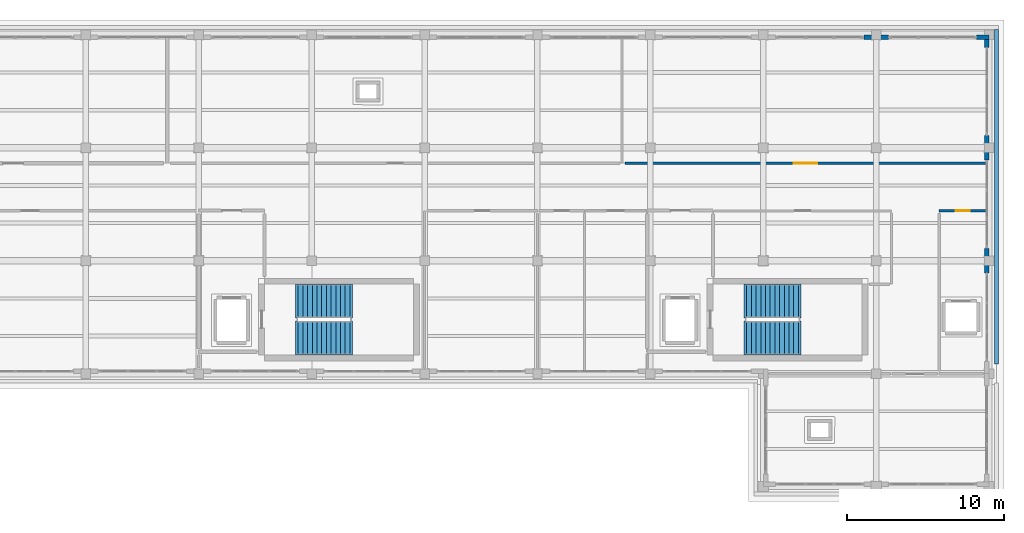
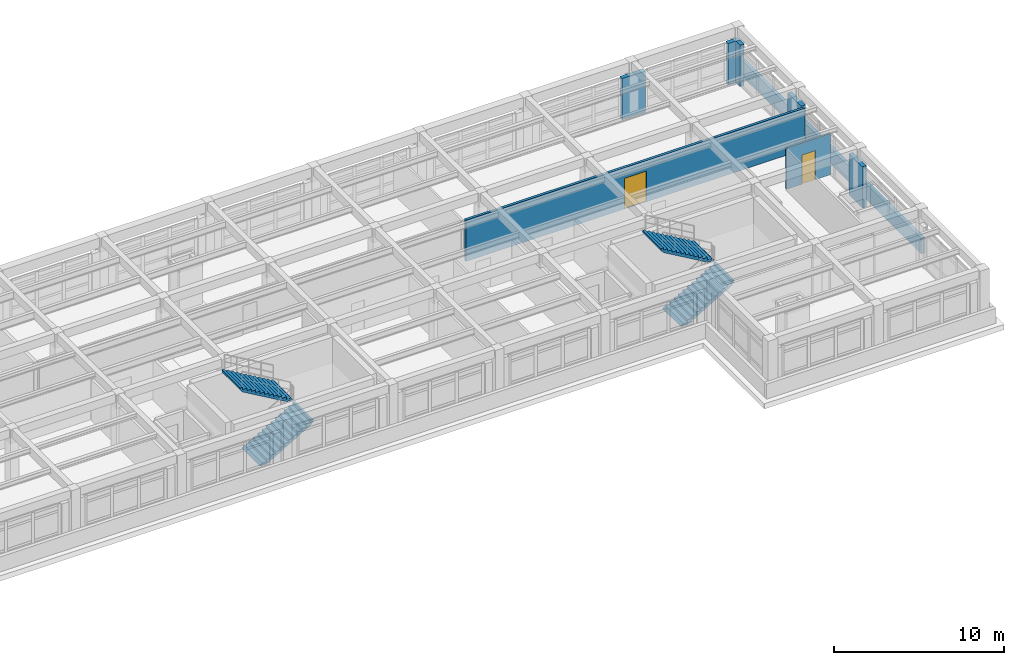
# One storey, part 16 of 19: 8 walls, 4 stair flights, 2 doors, 2 openings, 2 elements without a shape of their own.
"""IFC4 building model written with IfcOpenShell, lengths in metres."""

import ifcopenshell
import ifcopenshell.guid

model = None  # the IFC model being written
_history = None  # IfcOwnerHistory: only IFC2X3 demands one
_inside = {}  # id of a spatial element -> (the spatial element, [elements in it])
_under = {}  # id of a project, library or spatial element -> (it, [spatial elements below it])
_declared = {}  # id of a project -> (the project, [libraries it declares])
_typed = {}  # id of a type object -> (the type object, [elements of that type])
_made_of = {}  # id of a material, layer set ... -> (it, [elements and type objects made of it])


def new_model(schema):
    """Start an empty IFC model of exactly this schema.

    Asked for "IFC4X3", IfcOpenShell would pick the latest addendum, in which some entities
    have other attributes; the version numbers below select the first issue.
    IFC2X3 requires an IfcOwnerHistory on every rooted entity: one is made here for all.
    """
    global model, _history
    if schema == "IFC4X3":
        model = ifcopenshell.file(schema_version=(4, 3, 0, 0))
    else:
        model = ifcopenshell.file(schema=schema)
    _inside.clear()
    _under.clear()
    _declared.clear()
    _typed.clear()
    _made_of.clear()
    _history = None
    if model.schema == "IFC2X3":
        org = make("IfcOrganization", Name="unknown")
        user = make(
            "IfcPersonAndOrganization",
            ThePerson=make("IfcPerson", FamilyName="unknown"),
            TheOrganization=org,
        )
        app = make(
            "IfcApplication",
            ApplicationDeveloper=org,
            Version="unknown",
            ApplicationFullName="unknown",
            ApplicationIdentifier="unknown",
        )
        _history = make(
            "IfcOwnerHistory",
            OwningUser=user,
            OwningApplication=app,
            ChangeAction="ADDED",
            CreationDate=0,
        )
    return model


def make(cls, **values):
    """One entity of the class cls with the attributes given. An attribute that is None is left unset."""
    return model.create_entity(
        cls, **{name: value for name, value in values.items() if value is not None}
    )


def rooted(cls, **values):
    """An entity with a GlobalId (a new one), such as an element, a storey or a relation."""
    return make(cls, GlobalId=ifcopenshell.guid.new(), OwnerHistory=_history, **values)


def si_unit(unit_type, name, prefix=None):
    """IfcSIUnit, for example si_unit("LENGTHUNIT", "METRE", prefix="MILLI")."""
    return make("IfcSIUnit", UnitType=unit_type, Prefix=prefix, Name=name)


def assignment(units):
    """IfcUnitAssignment: the units of a project."""
    return None if units is None else make("IfcUnitAssignment", Units=units)


def point(xyz):
    """IfcCartesianPoint."""
    return None if xyz is None else make("IfcCartesianPoint", Coordinates=xyz)


def direction(xyz):
    """IfcDirection."""
    return None if xyz is None else make("IfcDirection", DirectionRatios=xyz)


def frame(location, z_axis=None, x_axis=None):
    """IfcAxis2Placement3D, a coordinate frame: its origin and axes. An axis left out is left unset."""
    return make(
        "IfcAxis2Placement3D",
        Location=point(location),
        Axis=direction(z_axis),
        RefDirection=direction(x_axis),
    )


def frame_2d(location, x_axis=None):
    """IfcAxis2Placement2D, a coordinate frame in the plane: its origin and x axis."""
    return make(
        "IfcAxis2Placement2D", Location=point(location), RefDirection=direction(x_axis)
    )


def origin():
    """The frame at (0, 0, 0) with its axes left unset."""
    return frame((0.0, 0.0, 0.0))


def place(relative_to, where):
    """IfcLocalPlacement: puts the frame where relative to a parent placement (None: the world)."""
    return make(
        "IfcLocalPlacement", PlacementRelTo=relative_to, RelativePlacement=where
    )


def context(
    kind, dimensions, precision=None, world=None, true_north=None, identifier=None
):
    """IfcGeometricRepresentationContext, for example the 3D "Model" context."""
    return make(
        "IfcGeometricRepresentationContext",
        ContextIdentifier=identifier,
        ContextType=kind,
        CoordinateSpaceDimension=dimensions,
        Precision=precision,
        WorldCoordinateSystem=world,
        TrueNorth=true_north,
    )


def subcontext(parent, identifier, kind, view, scale=None):
    """IfcGeometricRepresentationSubContext, for example "Body" below "Model"."""
    return make(
        "IfcGeometricRepresentationSubContext",
        ContextIdentifier=identifier,
        ContextType=kind,
        ParentContext=parent,
        TargetScale=scale,
        TargetView=view,
    )


def project(units=None, contexts=None):
    """IfcProject with its units and contexts."""
    return rooted(
        "IfcProject",
        Name="project",
        RepresentationContexts=contexts,
        UnitsInContext=assignment(units),
    )


def spatial(cls, under=None, at=None, **own):
    """A site, building, storey or space (cls), placed at a placement, below another one or the project."""
    s = rooted(cls, ObjectPlacement=at, **own)
    if under is not None:
        _under.setdefault(under.id(), (under, []))[1].append(s)
    return s


def polyline(points):
    """IfcPolyline through the points."""
    return make("IfcPolyline", Points=[point(p) for p in points])


def profile(cls, at=None, kind="AREA", **sizes):
    """A parametric profile (cls). Its sizes go by their IFC names, for example OverallWidth=200.0."""
    return make(cls, ProfileType=kind, Position=at, **sizes)


def rectangle(**sizes):
    """IfcRectangleProfileDef."""
    return profile("IfcRectangleProfileDef", **sizes)


def outline(outer, holes=None, kind="AREA"):
    """IfcArbitraryClosedProfileDef: a profile drawn as a closed curve; with holes, ...WithVoids."""
    if holes is None:
        return make("IfcArbitraryClosedProfileDef", ProfileType=kind, OuterCurve=outer)
    return make(
        "IfcArbitraryProfileDefWithVoids",
        ProfileType=kind,
        OuterCurve=outer,
        InnerCurves=holes,
    )


def extrude(swept, where, along, depth):
    """IfcExtrudedAreaSolid: the profile swept, set in the frame where, extruded along a direction by depth."""
    return make(
        "IfcExtrudedAreaSolid",
        SweptArea=swept,
        Position=where,
        ExtrudedDirection=direction(along),
        Depth=depth,
    )


def shape(context_of_items, identifier, shape_type, items):
    """IfcShapeRepresentation: the items that make up one representation, for example the "Body"."""
    return make(
        "IfcShapeRepresentation",
        ContextOfItems=context_of_items,
        RepresentationIdentifier=identifier,
        RepresentationType=shape_type,
        Items=items,
    )


def material(Name=None, Category=None):
    """IfcMaterial."""
    return make("IfcMaterial", Name=Name, Category=Category)


def layer(
    of_material, thickness, ventilated=None, Name=None, Category=None, Priority=None
):
    """IfcMaterialLayer: one layer of a wall or slab, of a material (None: an air gap)."""
    return make(
        "IfcMaterialLayer",
        Material=of_material,
        LayerThickness=thickness,
        IsVentilated=ventilated,
        Name=Name,
        Category=Category,
        Priority=Priority,
    )


def layer_set(layers, Name=None):
    """IfcMaterialLayerSet."""
    return make("IfcMaterialLayerSet", MaterialLayers=layers, LayerSetName=Name)


def made_of(thing, what):
    """Note that an element or type object is made of a material, layer set ...; save() writes the relation."""
    if what is not None:
        _made_of.setdefault(what.id(), (what, []))[1].append(thing)
    return thing


def type_object(cls, material=None, **own):
    """A type object (cls), such as IfcWallType, which elements share."""
    return made_of(rooted(cls, **own), material)


def element(
    cls,
    number,
    at=None,
    inside=None,
    cuts=None,
    type_object=None,
    material=None,
    context=None,
    identifier="Body",
    shape_type=None,
    held_by="IfcProductDefinitionShape",
    body=None,
    shapes=None,
    **own,
):
    """One element of the class cls, such as IfcWall. Its Tag is "e" and its number.

    at: its placement. inside: the storey or other place that contains it. cuts: it is an
    opening in that element (IfcRelVoidsElement). A single representation is given by context,
    identifier, shape_type and body (its items); several are given by shapes. held_by: the class
    of the entity that holds the representations. save() writes the other relations.
    """
    e = rooted(cls, Tag="e%d" % number, ObjectPlacement=at, **own)
    if body is not None:
        shapes = [shape(context, identifier, shape_type, body)]
    if shapes is not None:
        e.Representation = make(held_by, Representations=shapes)
    if inside is not None:
        _inside.setdefault(inside.id(), (inside, []))[1].append(e)
    if cuts is not None:
        rooted(
            "IfcRelVoidsElement", RelatingBuildingElement=cuts, RelatedOpeningElement=e
        )
    if type_object is not None:
        _typed.setdefault(type_object.id(), (type_object, []))[1].append(e)
    return made_of(e, material)


def fill(opening, filler):
    """IfcRelFillsElement: the door or window that sits in an opening."""
    return rooted(
        "IfcRelFillsElement",
        RelatingOpeningElement=opening,
        RelatedBuildingElement=filler,
    )


def aggregate(whole, parts):
    """IfcRelAggregates: a whole, such as a stair, and the parts it consists of."""
    return rooted("IfcRelAggregates", RelatingObject=whole, RelatedObjects=parts)


def save(model, path):
    """Write the relations noted so far, then the file.

    IfcRelAggregates (storeys below a building ...), IfcRelContainedInSpatialStructure (elements
    in a storey), IfcRelDefinesByType, IfcRelAssociatesMaterial and IfcRelDeclares: one each for
    every whole, place, type object, material and project.
    """
    for whole, parts in _under.values():
        aggregate(whole, parts)
    for where, things in _inside.values():
        rooted(
            "IfcRelContainedInSpatialStructure",
            RelatedElements=things,
            RelatingStructure=where,
        )
    for kind, things in _typed.values():
        rooted("IfcRelDefinesByType", RelatedObjects=things, RelatingType=kind)
    for what, things in _made_of.values():
        rooted("IfcRelAssociatesMaterial", RelatedObjects=things, RelatingMaterial=what)
    for by, libraries in _declared.values():
        rooted("IfcRelDeclares", RelatingContext=by, RelatedDefinitions=libraries)
    model.write(path)


model = new_model("IFC4")

# Units and contexts
model_context = context("Model", 3, precision=1e-05, world=origin(), true_north=direction((0.0, 1.0)))
body_context = subcontext(model_context, "Body", "Model", "MODEL_VIEW")
ifc_project = project(units=[si_unit("LENGTHUNIT", "METRE"), si_unit("AREAUNIT", "SQUARE_METRE"), si_unit("VOLUMEUNIT", "CUBIC_METRE"), si_unit("PLANEANGLEUNIT", "RADIAN"), si_unit("MASSUNIT", "GRAM", prefix="KILO")], contexts=[model_context])

# Site, building, storey
site_placement = place(None, origin())
site = spatial("IfcSite", under=ifc_project, at=site_placement, CompositionType="ELEMENT")
building_placement = place(site_placement, origin())
building = spatial("IfcBuilding", under=site, at=building_placement, Name="Solenvale Faculty of Natural Sciences", CompositionType="ELEMENT")
storey_placement = place(building_placement, frame((0.0, 0.0, 27.0)))
storey = spatial("IfcBuildingStorey", under=building, at=storey_placement, Name="L06", CompositionType="ELEMENT", Elevation=27.0)

# Walls
ifc_material_1 = material(Name="Precast concrete 40 MPa", Category="concrete")
ifc_layer_1 = layer(ifc_material_1, 0.284912109375)
ifc_layer_set_1 = layer_set([ifc_layer_1], Name="Precast concrete 40 MPa")
wall_type_1 = type_object("IfcWallType", Name="WL-EXT-PRC-285", PredefinedType="STANDARD", material=ifc_layer_set_1)
wall_1_placement = place(storey_placement, frame((151.0576171875, 100.011962890625, 0.0), z_axis=(0.0, 0.0, 1.0), x_axis=(0.0, 1.0, 0.0)))
element("IfcWall", 1, at=wall_1_placement, inside=storey, type_object=wall_type_1, Name="L06 Facade Closure Pier 1.B1-R", PredefinedType="STANDARD", context=body_context, shape_type="SweptSolid", body=[
    extrude(rectangle(XDim=1.575927734375, YDim=0.284912109375, at=frame_2d((0.7880859375, 0.0))), origin(), (0.0, 0.0, 1.0), 2.9599609375),
])
wall_2_placement = place(storey_placement, frame((151.0576171875, 107.2119140625, 0.0), z_axis=(0.0, 0.0, 1.0), x_axis=(0.0, 1.0, 0.0)))
element("IfcWall", 2, at=wall_2_placement, inside=storey, type_object=wall_type_1, Name="L06 Facade Closure Pier 1.B2-R", PredefinedType="STANDARD", context=body_context, shape_type="SweptSolid", body=[
    extrude(rectangle(XDim=1.576171875, YDim=0.284912109375, at=frame_2d((0.7880859375, 0.0))), origin(), (0.0, 0.0, 1.0), 2.9599609375),
])
wall_3_placement = place(storey_placement, frame((151.0576171875, 114.412109375, 0.0), z_axis=(0.0, 0.0, 1.0), x_axis=(0.0, 1.0, 0.0)))
element("IfcWall", 3, at=wall_3_placement, inside=storey, type_object=wall_type_1, Name="L06 Facade Closure Pier 1.B3-R", PredefinedType="STANDARD", context=body_context, shape_type="SweptSolid", body=[
    extrude(rectangle(XDim=0.5029296875, YDim=0.284912109375, at=frame_2d((0.25146484375, 0.0))), origin(), (0.0, 0.0, 1.0), 2.9599609375),
])
wall_4_placement = place(storey_placement, frame((151.199951171875, 115.0576171875, 0.0), z_axis=(0.0, 0.0, 1.0), x_axis=(-1.0, 0.0, 0.0)))
element("IfcWall", 4, at=wall_4_placement, inside=storey, type_object=wall_type_1, Name="L06 Facade Closure Pier 2.B1-L", PredefinedType="STANDARD", context=body_context, shape_type="SweptSolid", body=[
    extrude(rectangle(XDim=0.787841796875, YDim=0.284912109375, at=frame_2d((0.39404296875, 0.0))), origin(), (0.0, 0.0, 1.0), 2.9599609375),
])
wall_5_placement = place(storey_placement, frame((144.7880859375, 115.0576171875, 0.0), z_axis=(0.0, 0.0, 1.0), x_axis=(-1.0, 0.0, 0.0)))
element("IfcWall", 5, at=wall_5_placement, inside=storey, type_object=wall_type_1, Name="L06 Facade Closure Pier 2.B1-R", PredefinedType="STANDARD", context=body_context, shape_type="SweptSolid", body=[
    extrude(rectangle(XDim=1.576171875, YDim=0.284912109375, at=frame_2d((0.7880859375, 0.0))), origin(), (0.0, 0.0, 1.0), 2.9599609375),
])

# Wall, opening, door
ifc_material_2 = material(Name="Gypsum fire-rated laboratory partition")
ifc_layer_2 = layer(ifc_material_2, 0.175048828125)
ifc_layer_set_2 = layer_set([ifc_layer_2], Name="Gypsum fire-rated laboratory partition")
wall_type_2 = type_object("IfcWallType", Name="WL-LAB-175", PredefinedType="PARTITIONING", material=ifc_layer_set_2)
wall_6_placement = place(storey_placement, frame((151.01806640625, 107.02001953125, 0.0), z_axis=(0.0, 0.0, 1.0), x_axis=(-1.0, 0.0, 0.0)))
wall_6 = element("IfcWall", 6, at=wall_6_placement, inside=storey, type_object=wall_type_2, Name="L06 Preparative Organic Chemistry Laboratory Partition 4", PredefinedType="PARTITIONING", context=body_context, shape_type="SweptSolid", body=[
    extrude(rectangle(XDim=23.049072265625, YDim=0.175048828125, at=frame_2d((11.5244140625, 0.0))), origin(), (0.0, 0.0, 1.0), 2.9599609375),
])
opening_1_placement = place(wall_6_placement, frame((10.784912109375, 0.0, 0.0)))
opening_1 = element("IfcOpeningElement", 7, at=opening_1_placement, cuts=wall_6, Name="Opening D-L06-05", PredefinedType="OPENING", context=body_context, shape_type="SweptSolid", body=[
    extrude(rectangle(XDim=1.47998046875, YDim=2.199951171875, at=frame_2d((0.739990234375, 1.10009765625))), frame((0.0, 0.097412109375, 0.0), z_axis=(0.0, -1.0, 0.0), x_axis=(1.0, 0.0, 0.0)), (0.0, 0.0, 1.0), 0.195068359375),
])
ifc_material_3 = material(Name="Oak acoustic timber leaf", Category="wood")
door_type_1 = type_object("IfcDoorType", Name="DR-LAB-1480x2200", OperationType="NOTDEFINED", PredefinedType="DOOR", material=ifc_material_3)
door_1_placement = place(opening_1_placement, origin())
door_1 = element("IfcDoor", 8, at=door_1_placement, inside=storey, type_object=door_type_1, Name="L06 Preparative Organic Chemistry Laboratory Door", OperationType="SINGLE_SWING_RIGHT", OverallHeight=2.199951171875, OverallWidth=1.47998046875, PredefinedType="DOOR", context=body_context, shape_type="SweptSolid", body=[
    extrude(rectangle(XDim=1.47998046875, YDim=2.199951171875, at=frame_2d((0.739990234375, 1.10009765625))), frame((0.0, 0.02490234375, 0.0), z_axis=(0.0, -1.0, 0.0), x_axis=(1.0, 0.0, 0.0)), (0.0, 0.0, 1.0), 0.050048828125),
])
fill(opening_1, door_1)

ifc_material_4 = material(Name="Acoustic stud gypsum partition")
ifc_layer_3 = layer(ifc_material_4, 0.14794921875)
ifc_layer_set_3 = layer_set([ifc_layer_3], Name="Acoustic stud gypsum partition")
wall_type_3 = type_object("IfcWallType", Name="WL-OFF-148", PredefinedType="PARTITIONING", material=ifc_layer_set_3)
wall_7_placement = place(storey_placement, frame((148.02001953125, 103.97998046875, 0.0), z_axis=(0.0, 0.0, 1.0), x_axis=(1.0, 0.0, 0.0)))
wall_7 = element("IfcWall", 9, at=wall_7_placement, inside=storey, type_object=wall_type_3, Name="L06 Elevator Lobby Partition 1", PredefinedType="PARTITIONING", context=body_context, shape_type="SweptSolid", body=[
    extrude(rectangle(XDim=2.998046875, YDim=0.14794921875, at=frame_2d((1.4990234375, 0.0))), origin(), (0.0, 0.0, 1.0), 2.9599609375),
])
opening_2_placement = place(wall_7_placement, frame((1.0390625, 0.0, 0.0)))
opening_2 = element("IfcOpeningElement", 10, at=opening_2_placement, cuts=wall_7, Name="Opening D-L06-11", PredefinedType="OPENING", context=body_context, shape_type="SweptSolid", body=[
    extrude(rectangle(XDim=0.919921875, YDim=2.10009765625, at=frame_2d((0.4599609375, 1.050048828125))), frame((0.0, 0.083984375, 0.0), z_axis=(0.0, -1.0, 0.0), x_axis=(1.0, 0.0, 0.0)), (0.0, 0.0, 1.0), 0.16796875),
])
door_type_2 = type_object("IfcDoorType", Name="DR-OFF-0920x2100", OperationType="NOTDEFINED", PredefinedType="DOOR", material=ifc_material_3)
door_2_placement = place(opening_2_placement, origin())
door_2 = element("IfcDoor", 11, at=door_2_placement, inside=storey, type_object=door_type_2, Name="L06 Elevator Lobby Door", OperationType="SINGLE_SWING_RIGHT", OverallHeight=2.10009765625, OverallWidth=0.919921875, PredefinedType="DOOR", context=body_context, shape_type="SweptSolid", body=[
    extrude(rectangle(XDim=0.919921875, YDim=2.10009765625, at=frame_2d((0.4599609375, 1.050048828125))), frame((0.0, 0.02490234375, 0.0), z_axis=(0.0, -1.0, 0.0), x_axis=(1.0, 0.0, 0.0)), (0.0, 0.0, 1.0), 0.050048828125),
])
fill(opening_2, door_2)

# Wall
ifc_material_5 = material(Name="Architectural bronze concrete 40 MPa", Category="concrete")
ifc_layer_4 = layer(ifc_material_5, 0.239990234375)
ifc_layer_set_4 = layer_set([ifc_layer_4], Name="Architectural bronze concrete 40 MPa")
wall_type_4 = type_object("IfcWallType", Name="WL-PAR-BRZ-240", PredefinedType="PARAPET", material=ifc_layer_set_4)
wall_8_placement = place(storey_placement, frame((151.679931640625, 115.56005859375, 0.0), z_axis=(0.0, 0.0, 1.0), x_axis=(0.0, -1.0, 0.0)))
element("IfcWall", 12, at=wall_8_placement, inside=storey, type_object=wall_type_4, Name="L06 Tower Horizontal Concrete Band 4", PredefinedType="PARAPET", context=body_context, shape_type="SweptSolid", body=[
    extrude(rectangle(XDim=21.360107421875, YDim=0.239990234375, at=frame_2d((10.68017578125, 0.0))), origin(), (0.0, 0.0, 1.0), 1.1201171875),
])

# Stair, stair flights
ifc_material_6 = material(Name="Concrete 40 MPa", Category="concrete")
stair_type = type_object("IfcStairType", Name="STR-CORE-25R", PredefinedType="DOUBLE_RETURN_STAIR", material=ifc_material_6)
stair_1_placement = place(storey_placement, origin())
stair_1 = element("IfcStair", 13, at=stair_1_placement, inside=storey, type_object=stair_type, Name="L06 Protected Exit Stair ST-04", PredefinedType="DOUBLE_RETURN_STAIR")
stair_flight_type = type_object("IfcStairFlightType", Name="SFL-RC-25R", PredefinedType="STRAIGHT", material=ifc_material_6)
stair_flight_1_placement = place(storey_placement, frame((107.139892578125, 95.875, 0.0), z_axis=(0.0, 0.0, 1.0), x_axis=(1.0, 0.0, 0.0)))
stair_flight_1 = element("IfcStairFlight", 14, at=stair_flight_1_placement, type_object=stair_flight_type, Name="ST-04 flight 1", NumberOfRisers=12, NumberOfTreads=11, PredefinedType="STRAIGHT", RiserHeight=0.175, TreadLength=0.3, context=body_context, shape_type="SweptSolid", body=[
    extrude(outline(polyline([(-0.159912109375, 0.0), (0.0, 0.175048828125), (0.300048828125, 0.175048828125), (0.300048828125, 0.35009765625), (0.60009765625, 0.35009765625), (0.60009765625, 0.52490234375), (0.89990234375, 0.52490234375), (0.89990234375, 0.699951171875), (1.199951171875, 0.699951171875), (1.199951171875, 0.875), (1.5, 0.875), (1.5, 1.050048828125), (1.800048828125, 1.050048828125), (1.800048828125, 1.22509765625), (2.10009765625, 1.22509765625), (2.10009765625, 1.39990234375), (2.39990234375, 1.39990234375), (2.39990234375, 1.574951171875), (2.699951171875, 1.574951171875), (2.699951171875, 1.75), (3.0, 1.75), (3.0, 1.925048828125), (3.300048828125, 1.925048828125), (3.300048828125, 2.10009765625), (3.4599609375, 2.10009765625), (3.4599609375, 1.9501953125), (3.300048828125, 1.75146484375), (0.297607421875, 0.0), (-0.159912109375, 0.0)])), frame((0.0, 1.074951171875, 0.0), z_axis=(0.0, -1.0, 0.0), x_axis=(1.0, 0.0, 0.0)), (0.0, 0.0, 1.0), 2.14990234375),
])
stair_flight_2_placement = place(storey_placement, frame((110.43994140625, 98.22509765625, 2.10009765625), z_axis=(0.0, 0.0, 1.0), x_axis=(-1.0, 0.0, 0.0)))
stair_flight_2 = element("IfcStairFlight", 15, at=stair_flight_2_placement, type_object=stair_flight_type, Name="ST-04 flight 2", NumberOfRisers=12, NumberOfTreads=11, PredefinedType="STRAIGHT", RiserHeight=0.175, TreadLength=0.3, context=body_context, shape_type="SweptSolid", body=[
    extrude(outline(polyline([(-0.159912109375, 0.0), (0.0, 0.175048828125), (0.300048828125, 0.175048828125), (0.300048828125, 0.35009765625), (0.60009765625, 0.35009765625), (0.60009765625, 0.52490234375), (0.89990234375, 0.52490234375), (0.89990234375, 0.699951171875), (1.199951171875, 0.699951171875), (1.199951171875, 0.875), (1.5, 0.875), (1.5, 1.050048828125), (1.800048828125, 1.050048828125), (1.800048828125, 1.22509765625), (2.10009765625, 1.22509765625), (2.10009765625, 1.39990234375), (2.39990234375, 1.39990234375), (2.39990234375, 1.574951171875), (2.699951171875, 1.574951171875), (2.699951171875, 1.75), (3.0, 1.75), (3.0, 1.925048828125), (3.300048828125, 1.925048828125), (3.300048828125, 2.10009765625), (3.4599609375, 2.10009765625), (3.4599609375, 1.9501953125), (3.300048828125, 1.75146484375), (0.297607421875, 0.0), (-0.159912109375, 0.0)])), frame((0.0, 1.074951171875, 0.0), z_axis=(0.0, -1.0, 0.0), x_axis=(1.0, 0.0, 0.0)), (0.0, 0.0, 1.0), 2.14990234375),
])
aggregate(stair_1, [stair_flight_1, stair_flight_2])

stair_2_placement = place(storey_placement, origin())
stair_2 = element("IfcStair", 16, at=stair_2_placement, inside=storey, type_object=stair_type, Name="L06 Protected Exit Stair ST-05", PredefinedType="DOUBLE_RETURN_STAIR")
stair_flight_3_placement = place(storey_placement, frame((135.739990234375, 95.875, 0.0), z_axis=(0.0, 0.0, 1.0), x_axis=(1.0, 0.0, 0.0)))
stair_flight_3 = element("IfcStairFlight", 17, at=stair_flight_3_placement, type_object=stair_flight_type, Name="ST-05 flight 1", NumberOfRisers=12, NumberOfTreads=11, PredefinedType="STRAIGHT", RiserHeight=0.175, TreadLength=0.3, context=body_context, shape_type="SweptSolid", body=[
    extrude(outline(polyline([(-0.159912109375, 0.0), (0.0, 0.175048828125), (0.300048828125, 0.175048828125), (0.300048828125, 0.35009765625), (0.60009765625, 0.35009765625), (0.60009765625, 0.52490234375), (0.89990234375, 0.52490234375), (0.89990234375, 0.699951171875), (1.199951171875, 0.699951171875), (1.199951171875, 0.875), (1.5, 0.875), (1.5, 1.050048828125), (1.800048828125, 1.050048828125), (1.800048828125, 1.22509765625), (2.10009765625, 1.22509765625), (2.10009765625, 1.39990234375), (2.39990234375, 1.39990234375), (2.39990234375, 1.574951171875), (2.699951171875, 1.574951171875), (2.699951171875, 1.75), (3.0, 1.75), (3.0, 1.925048828125), (3.300048828125, 1.925048828125), (3.300048828125, 2.10009765625), (3.4599609375, 2.10009765625), (3.4599609375, 1.9501953125), (3.300048828125, 1.75146484375), (0.297607421875, 0.0), (-0.159912109375, 0.0)])), frame((0.0, 1.074951171875, 0.0), z_axis=(0.0, -1.0, 0.0), x_axis=(1.0, 0.0, 0.0)), (0.0, 0.0, 1.0), 2.14990234375),
])
stair_flight_4_placement = place(storey_placement, frame((139.0400390625, 98.22509765625, 2.10009765625), z_axis=(0.0, 0.0, 1.0), x_axis=(-1.0, 0.0, 0.0)))
stair_flight_4 = element("IfcStairFlight", 18, at=stair_flight_4_placement, type_object=stair_flight_type, Name="ST-05 flight 2", NumberOfRisers=12, NumberOfTreads=11, PredefinedType="STRAIGHT", RiserHeight=0.175, TreadLength=0.3, context=body_context, shape_type="SweptSolid", body=[
    extrude(outline(polyline([(-0.159912109375, 0.0), (0.0, 0.175048828125), (0.300048828125, 0.175048828125), (0.300048828125, 0.35009765625), (0.60009765625, 0.35009765625), (0.60009765625, 0.52490234375), (0.89990234375, 0.52490234375), (0.89990234375, 0.699951171875), (1.199951171875, 0.699951171875), (1.199951171875, 0.875), (1.5, 0.875), (1.5, 1.050048828125), (1.800048828125, 1.050048828125), (1.800048828125, 1.22509765625), (2.10009765625, 1.22509765625), (2.10009765625, 1.39990234375), (2.39990234375, 1.39990234375), (2.39990234375, 1.574951171875), (2.699951171875, 1.574951171875), (2.699951171875, 1.75), (3.0, 1.75), (3.0, 1.925048828125), (3.300048828125, 1.925048828125), (3.300048828125, 2.10009765625), (3.4599609375, 2.10009765625), (3.4599609375, 1.9501953125), (3.300048828125, 1.75146484375), (0.297607421875, 0.0), (-0.159912109375, 0.0)])), frame((0.0, 1.074951171875, 0.0), z_axis=(0.0, -1.0, 0.0), x_axis=(1.0, 0.0, 0.0)), (0.0, 0.0, 1.0), 2.14990234375),
])
aggregate(stair_2, [stair_flight_3, stair_flight_4])

save(model, "model.ifc")
